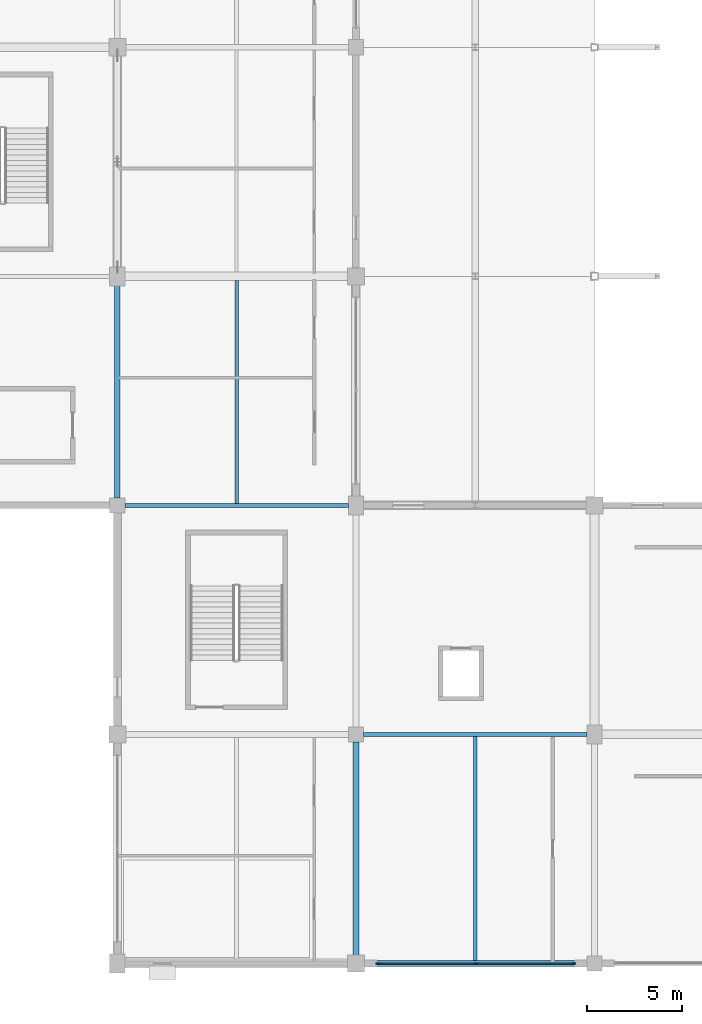
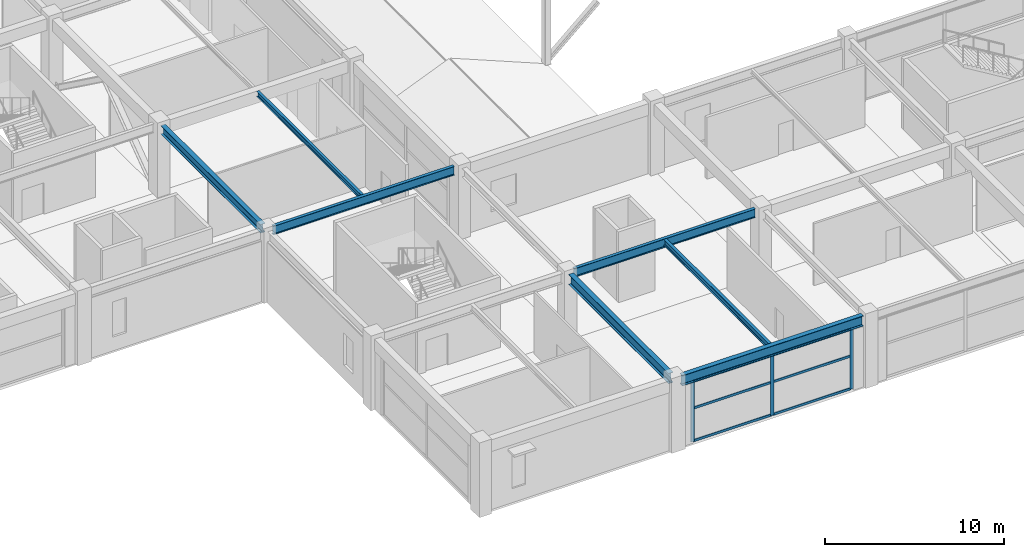
# One storey, part 11 of 116: 9 members, 7 beams, 1 element without a shape of its own.
"""IFC4 building model written with IfcOpenShell, lengths in metres."""

import ifcopenshell
import ifcopenshell.guid

model = None  # the IFC model being written
_history = None  # IfcOwnerHistory: only IFC2X3 demands one
_inside = {}  # id of a spatial element -> (the spatial element, [elements in it])
_under = {}  # id of a project, library or spatial element -> (it, [spatial elements below it])
_declared = {}  # id of a project -> (the project, [libraries it declares])
_typed = {}  # id of a type object -> (the type object, [elements of that type])
_made_of = {}  # id of a material, layer set ... -> (it, [elements and type objects made of it])


def new_model(schema):
    """Start an empty IFC model of exactly this schema.

    Asked for "IFC4X3", IfcOpenShell would pick the latest addendum, in which some entities
    have other attributes; the version numbers below select the first issue.
    IFC2X3 requires an IfcOwnerHistory on every rooted entity: one is made here for all.
    """
    global model, _history
    if schema == "IFC4X3":
        model = ifcopenshell.file(schema_version=(4, 3, 0, 0))
    else:
        model = ifcopenshell.file(schema=schema)
    _inside.clear()
    _under.clear()
    _declared.clear()
    _typed.clear()
    _made_of.clear()
    _history = None
    if model.schema == "IFC2X3":
        org = make("IfcOrganization", Name="unknown")
        user = make(
            "IfcPersonAndOrganization",
            ThePerson=make("IfcPerson", FamilyName="unknown"),
            TheOrganization=org,
        )
        app = make(
            "IfcApplication",
            ApplicationDeveloper=org,
            Version="unknown",
            ApplicationFullName="unknown",
            ApplicationIdentifier="unknown",
        )
        _history = make(
            "IfcOwnerHistory",
            OwningUser=user,
            OwningApplication=app,
            ChangeAction="ADDED",
            CreationDate=0,
        )
    return model


def make(cls, **values):
    """One entity of the class cls with the attributes given. An attribute that is None is left unset."""
    return model.create_entity(
        cls, **{name: value for name, value in values.items() if value is not None}
    )


def rooted(cls, **values):
    """An entity with a GlobalId (a new one), such as an element, a storey or a relation."""
    return make(cls, GlobalId=ifcopenshell.guid.new(), OwnerHistory=_history, **values)


def si_unit(unit_type, name, prefix=None):
    """IfcSIUnit, for example si_unit("LENGTHUNIT", "METRE", prefix="MILLI")."""
    return make("IfcSIUnit", UnitType=unit_type, Prefix=prefix, Name=name)


def assignment(units):
    """IfcUnitAssignment: the units of a project."""
    return None if units is None else make("IfcUnitAssignment", Units=units)


def point(xyz):
    """IfcCartesianPoint."""
    return None if xyz is None else make("IfcCartesianPoint", Coordinates=xyz)


def direction(xyz):
    """IfcDirection."""
    return None if xyz is None else make("IfcDirection", DirectionRatios=xyz)


def frame(location, z_axis=None, x_axis=None):
    """IfcAxis2Placement3D, a coordinate frame: its origin and axes. An axis left out is left unset."""
    return make(
        "IfcAxis2Placement3D",
        Location=point(location),
        Axis=direction(z_axis),
        RefDirection=direction(x_axis),
    )


def frame_2d(location, x_axis=None):
    """IfcAxis2Placement2D, a coordinate frame in the plane: its origin and x axis."""
    return make(
        "IfcAxis2Placement2D", Location=point(location), RefDirection=direction(x_axis)
    )


def origin():
    """The frame at (0, 0, 0) with its axes left unset."""
    return frame((0.0, 0.0, 0.0))


def origin_2d():
    """The frame at (0, 0) in the plane with its x axis left unset."""
    return frame_2d((0.0, 0.0))


def place(relative_to, where):
    """IfcLocalPlacement: puts the frame where relative to a parent placement (None: the world)."""
    return make(
        "IfcLocalPlacement", PlacementRelTo=relative_to, RelativePlacement=where
    )


def context(
    kind, dimensions, precision=None, world=None, true_north=None, identifier=None
):
    """IfcGeometricRepresentationContext, for example the 3D "Model" context."""
    return make(
        "IfcGeometricRepresentationContext",
        ContextIdentifier=identifier,
        ContextType=kind,
        CoordinateSpaceDimension=dimensions,
        Precision=precision,
        WorldCoordinateSystem=world,
        TrueNorth=true_north,
    )


def subcontext(parent, identifier, kind, view, scale=None):
    """IfcGeometricRepresentationSubContext, for example "Body" below "Model"."""
    return make(
        "IfcGeometricRepresentationSubContext",
        ContextIdentifier=identifier,
        ContextType=kind,
        ParentContext=parent,
        TargetScale=scale,
        TargetView=view,
    )


def project(units=None, contexts=None):
    """IfcProject with its units and contexts."""
    return rooted(
        "IfcProject",
        Name="project",
        RepresentationContexts=contexts,
        UnitsInContext=assignment(units),
    )


def spatial(cls, under=None, at=None, **own):
    """A site, building, storey or space (cls), placed at a placement, below another one or the project."""
    s = rooted(cls, ObjectPlacement=at, **own)
    if under is not None:
        _under.setdefault(under.id(), (under, []))[1].append(s)
    return s


def profile(cls, at=None, kind="AREA", **sizes):
    """A parametric profile (cls). Its sizes go by their IFC names, for example OverallWidth=200.0."""
    return make(cls, ProfileType=kind, Position=at, **sizes)


def rectangle(**sizes):
    """IfcRectangleProfileDef."""
    return profile("IfcRectangleProfileDef", **sizes)


def i_section(**sizes):
    """IfcIShapeProfileDef."""
    return profile("IfcIShapeProfileDef", **sizes)


def extrude(swept, where, along, depth):
    """IfcExtrudedAreaSolid: the profile swept, set in the frame where, extruded along a direction by depth."""
    return make(
        "IfcExtrudedAreaSolid",
        SweptArea=swept,
        Position=where,
        ExtrudedDirection=direction(along),
        Depth=depth,
    )


def shape(context_of_items, identifier, shape_type, items):
    """IfcShapeRepresentation: the items that make up one representation, for example the "Body"."""
    return make(
        "IfcShapeRepresentation",
        ContextOfItems=context_of_items,
        RepresentationIdentifier=identifier,
        RepresentationType=shape_type,
        Items=items,
    )


def material(Name=None, Category=None):
    """IfcMaterial."""
    return make("IfcMaterial", Name=Name, Category=Category)


def layer(
    of_material, thickness, ventilated=None, Name=None, Category=None, Priority=None
):
    """IfcMaterialLayer: one layer of a wall or slab, of a material (None: an air gap)."""
    return make(
        "IfcMaterialLayer",
        Material=of_material,
        LayerThickness=thickness,
        IsVentilated=ventilated,
        Name=Name,
        Category=Category,
        Priority=Priority,
    )


def layer_set(layers, Name=None):
    """IfcMaterialLayerSet."""
    return make("IfcMaterialLayerSet", MaterialLayers=layers, LayerSetName=Name)


def material_profile(
    of_material, cross_section, Name=None, Category=None, Priority=None
):
    """IfcMaterialProfile: a cross section and its material."""
    return make(
        "IfcMaterialProfile",
        Name=Name,
        Material=of_material,
        Profile=cross_section,
        Priority=Priority,
        Category=Category,
    )


def profile_set(profiles, Name=None, composite=None):
    """IfcMaterialProfileSet."""
    return make(
        "IfcMaterialProfileSet",
        Name=Name,
        MaterialProfiles=profiles,
        CompositeProfile=composite,
    )


def made_of(thing, what):
    """Note that an element or type object is made of a material, layer set ...; save() writes the relation."""
    if what is not None:
        _made_of.setdefault(what.id(), (what, []))[1].append(thing)
    return thing


def type_object(cls, material=None, **own):
    """A type object (cls), such as IfcWallType, which elements share."""
    return made_of(rooted(cls, **own), material)


def element(
    cls,
    number,
    at=None,
    inside=None,
    cuts=None,
    type_object=None,
    material=None,
    context=None,
    identifier="Body",
    shape_type=None,
    held_by="IfcProductDefinitionShape",
    body=None,
    shapes=None,
    **own,
):
    """One element of the class cls, such as IfcWall. Its Tag is "e" and its number.

    at: its placement. inside: the storey or other place that contains it. cuts: it is an
    opening in that element (IfcRelVoidsElement). A single representation is given by context,
    identifier, shape_type and body (its items); several are given by shapes. held_by: the class
    of the entity that holds the representations. save() writes the other relations.
    """
    e = rooted(cls, Tag="e%d" % number, ObjectPlacement=at, **own)
    if body is not None:
        shapes = [shape(context, identifier, shape_type, body)]
    if shapes is not None:
        e.Representation = make(held_by, Representations=shapes)
    if inside is not None:
        _inside.setdefault(inside.id(), (inside, []))[1].append(e)
    if cuts is not None:
        rooted(
            "IfcRelVoidsElement", RelatingBuildingElement=cuts, RelatedOpeningElement=e
        )
    if type_object is not None:
        _typed.setdefault(type_object.id(), (type_object, []))[1].append(e)
    return made_of(e, material)


def aggregate(whole, parts):
    """IfcRelAggregates: a whole, such as a stair, and the parts it consists of."""
    return rooted("IfcRelAggregates", RelatingObject=whole, RelatedObjects=parts)


def save(model, path):
    """Write the relations noted so far, then the file.

    IfcRelAggregates (storeys below a building ...), IfcRelContainedInSpatialStructure (elements
    in a storey), IfcRelDefinesByType, IfcRelAssociatesMaterial and IfcRelDeclares: one each for
    every whole, place, type object, material and project.
    """
    for whole, parts in _under.values():
        aggregate(whole, parts)
    for where, things in _inside.values():
        rooted(
            "IfcRelContainedInSpatialStructure",
            RelatedElements=things,
            RelatingStructure=where,
        )
    for kind, things in _typed.values():
        rooted("IfcRelDefinesByType", RelatedObjects=things, RelatingType=kind)
    for what, things in _made_of.values():
        rooted("IfcRelAssociatesMaterial", RelatedObjects=things, RelatingMaterial=what)
    for by, libraries in _declared.values():
        rooted("IfcRelDeclares", RelatingContext=by, RelatedDefinitions=libraries)
    model.write(path)


model = new_model("IFC4")

# Units and contexts
model_context = context("Model", 3, precision=1e-05, world=origin(), true_north=direction((0.0, 1.0)))
body_context = subcontext(model_context, "Body", "Model", "MODEL_VIEW")
ifc_project = project(units=[si_unit("LENGTHUNIT", "METRE"), si_unit("AREAUNIT", "SQUARE_METRE"), si_unit("VOLUMEUNIT", "CUBIC_METRE"), si_unit("PLANEANGLEUNIT", "RADIAN"), si_unit("MASSUNIT", "GRAM", prefix="KILO")], contexts=[model_context])

# Site, building, storey
site_placement = place(None, origin())
site = spatial("IfcSite", under=ifc_project, at=site_placement, CompositionType="ELEMENT")
building_placement = place(site_placement, origin())
building = spatial("IfcBuilding", under=site, at=building_placement, Name="Kazenohara Klinker Stadium", CompositionType="ELEMENT")
storey_placement = place(building_placement, frame((0.0, 0.0, 10.199951171875)))
storey = spatial("IfcBuildingStorey", under=building, at=storey_placement, Name="L02", CompositionType="ELEMENT", Elevation=10.199951171875)

# Beams
ifc_material_1 = material(Name="Steel S355", Category="steel")
ifc_material_profile_1 = material_profile(ifc_material_1, i_section(OverallWidth=0.199951171875, OverallDepth=0.39990234375, WebThickness=0.008056640625, FlangeThickness=0.012939453125, FilletRadius=0.012939453125, at=origin_2d()), Name="H-400x200x8x13")
ifc_profile_set_1 = profile_set([ifc_material_profile_1], Name="Steel S355")
beam_type_1 = type_object("IfcBeamType", Name="BM-JST03", PredefinedType="JOIST", material=ifc_profile_set_1)
beam_1_placement = place(storey_placement, frame((42.75, 12.14990234375, 4.6201171875), z_axis=(0.0, 1.0, 0.0), x_axis=(-1.0, 0.0, 0.0)))
element("IfcBeam", 1, at=beam_1_placement, inside=storey, type_object=beam_type_1, Name="Secondary floor joist SJ03 L02 4/B", PredefinedType="JOIST", context=body_context, shape_type="SweptSolid", body=[
    extrude(i_section(OverallWidth=0.199951171875, OverallDepth=0.39990234375, WebThickness=0.008056640625, FlangeThickness=0.012939453125, FilletRadius=0.012939453125, at=origin_2d()), origin(), (0.0, 0.0, 1.0), 11.75),
])
ifc_material_profile_2 = material_profile(ifc_material_1, i_section(OverallWidth=0.175048828125, OverallDepth=0.35009765625, WebThickness=0.007080078125, FlangeThickness=0.010986328125, FilletRadius=0.012939453125, at=origin_2d()), Name="H-350x175x7x11")
ifc_profile_set_2 = profile_set([ifc_material_profile_2], Name="Steel S355")
beam_type_2 = type_object("IfcBeamType", Name="BM-JST04", PredefinedType="JOIST", material=ifc_profile_set_2)
beam_2_placement = place(storey_placement, frame((30.25, 36.10009765625, 4.64501953125), z_axis=(0.0, 1.0, 0.0), x_axis=(-1.0, 0.0, 0.0)))
element("IfcBeam", 2, at=beam_2_placement, inside=storey, type_object=beam_type_2, Name="Secondary floor joist SJ04 L02 3/D", PredefinedType="JOIST", context=body_context, shape_type="SweptSolid", body=[
    extrude(i_section(OverallWidth=0.175048828125, OverallDepth=0.35009765625, WebThickness=0.007080078125, FlangeThickness=0.010986328125, FilletRadius=0.012939453125, at=origin_2d()), origin(), (0.0, 0.0, 1.0), 11.6748046875),
])
ifc_material_profile_3 = material_profile(ifc_material_1, i_section(OverallWidth=0.300048828125, OverallDepth=0.699951171875, WebThickness=0.012939453125, FlangeThickness=0.02392578125, FilletRadius=0.02197265625, at=origin_2d()), Name="H-700x300x13x24")
ifc_profile_set_3 = profile_set([ifc_material_profile_3], Name="Steel S355")
beam_type_3 = type_object("IfcBeamType", Name="BM-ST03", PredefinedType="BEAM", material=ifc_profile_set_3)
beam_3_placement = place(storey_placement, frame((36.919921875, 12.0, 4.469970703125), z_axis=(1.0, 0.0, 0.0), x_axis=(0.0, 1.0, 0.0)))
element("IfcBeam", 3, at=beam_3_placement, inside=storey, type_object=beam_type_3, Name="Primary girder SB03 L02 4-5/B", PredefinedType="BEAM", context=body_context, shape_type="SweptSolid", body=[
    extrude(i_section(OverallWidth=0.300048828125, OverallDepth=0.699951171875, WebThickness=0.012939453125, FlangeThickness=0.02392578125, FilletRadius=0.02197265625, at=origin_2d()), origin(), (0.0, 0.0, 1.0), 11.68017578125),
])
beam_4_placement = place(storey_placement, frame((36.5, 12.419921875, 4.469970703125), z_axis=(0.0, 1.0, 0.0), x_axis=(-1.0, 0.0, 0.0)))
element("IfcBeam", 4, at=beam_4_placement, inside=storey, type_object=beam_type_3, Name="Primary girder SB03 L02 4/B-C", PredefinedType="BEAM", context=body_context, shape_type="SweptSolid", body=[
    extrude(i_section(OverallWidth=0.300048828125, OverallDepth=0.699951171875, WebThickness=0.012939453125, FlangeThickness=0.02392578125, FilletRadius=0.02197265625, at=origin_2d()), origin(), (0.0, 0.0, 1.0), 11.18017578125),
])
ifc_material_profile_4 = material_profile(ifc_material_1, i_section(OverallWidth=0.199951171875, OverallDepth=0.60009765625, WebThickness=0.010986328125, FlangeThickness=0.01708984375, FilletRadius=0.012939453125, at=origin_2d()), Name="H-600x200x11x17")
ifc_profile_set_4 = profile_set([ifc_material_profile_4], Name="Steel S355")
beam_type_4 = type_object("IfcBeamType", Name="BM-ST04", PredefinedType="BEAM", material=ifc_profile_set_4)
for number, where, z_axis, x_axis, name in (
    (5, (24.39990234375, 36.0, 4.52001953125), (1.0, 0.0, 0.0), (0.0, 1.0, 0.0), "Primary girder SB04 L02 3-4/D"),
    (6, (36.89990234375, 24.0, 4.52001953125), (1.0, 0.0, 0.0), (0.0, 1.0, 0.0), "Primary girder SB04 L02 4-5/C"),
):
    element("IfcBeam", number, at=place(storey_placement, frame(where, z_axis=z_axis, x_axis=x_axis)), inside=storey, type_object=beam_type_4, Name=name, PredefinedType="BEAM", context=body_context, shape_type="SweptSolid", body=[
        extrude(i_section(OverallWidth=0.199951171875, OverallDepth=0.60009765625, WebThickness=0.010986328125, FlangeThickness=0.01708984375, FilletRadius=0.012939453125, at=origin_2d()), origin(), (0.0, 0.0, 1.0), 11.7001953125),
    ])
ifc_material_profile_5 = material_profile(ifc_material_1, i_section(OverallWidth=0.300048828125, OverallDepth=0.587890625, WebThickness=0.011962890625, FlangeThickness=0.02001953125, FilletRadius=0.02197265625, at=origin_2d()), Name="H-588x300x12x20")
ifc_profile_set_5 = profile_set([ifc_material_profile_5], Name="Steel S355")
beam_type_5 = type_object("IfcBeamType", Name="BM-ST05", PredefinedType="BEAM", material=ifc_profile_set_5)
beam_5_placement = place(storey_placement, frame((24.0, 36.39990234375, 4.526123046875), z_axis=(0.0, 1.0, 0.0), x_axis=(-1.0, 0.0, 0.0)))
element("IfcBeam", 7, at=beam_5_placement, inside=storey, type_object=beam_type_5, Name="Primary girder SB05 L02 3/D-E", PredefinedType="BEAM", context=body_context, shape_type="SweptSolid", body=[
    extrude(i_section(OverallWidth=0.300048828125, OverallDepth=0.587890625, WebThickness=0.011962890625, FlangeThickness=0.02001953125, FilletRadius=0.02197265625, at=origin_2d()), origin(), (0.0, 0.0, 1.0), 11.18017578125),
])

# Curtain wall, members
ifc_material_2 = material(Name="Anodised aluminium and triple glazing", Category="aluminium")
ifc_layer = layer(ifc_material_2, 0.179931640625)
ifc_layer_set = layer_set([ifc_layer], Name="Anodised aluminium and triple glazing")
curtain_wall_type = type_object("IfcCurtainWallType", Name="CW-SYS-02", PredefinedType="USERDEFINED", material=ifc_layer_set)
curtain_wall_placement = place(storey_placement, origin())
curtain_wall = element("IfcCurtainWall", 8, at=curtain_wall_placement, inside=storey, type_object=curtain_wall_type, Name="Unitised facade curtain wall CW02 L02 X3-1", ObjectType="UNITISED CURTAIN WALL", PredefinedType="USERDEFINED")
ifc_material_3 = material(Name="Anodised aluminium 6063-T6", Category="aluminium")
ifc_material_profile_6 = material_profile(ifc_material_3, rectangle(XDim=0.074951171875, YDim=0.219970703125, at=origin_2d()), Name="ALU-MUL-75x220")
ifc_profile_set_6 = profile_set([ifc_material_profile_6], Name="Anodised aluminium 6063-T6")
member_type_1 = type_object("IfcMemberType", Name="CW-MUL-220", PredefinedType="MULLION", material=ifc_profile_set_6)
member_1_placement = place(storey_placement, frame((37.6416015625, 12.0, 0.0), z_axis=(0.0, 0.0, 1.0), x_axis=(0.0, 1.0, 0.0)))
member_1 = element("IfcMember", 9, at=member_1_placement, type_object=member_type_1, Name="CW02 mullion 1", PredefinedType="MULLION", context=body_context, shape_type="SweptSolid", body=[
    extrude(rectangle(XDim=0.074951171875, YDim=0.219970703125, at=origin_2d()), origin(), (0.0, 0.0, 1.0), 4.1201171875),
])
member_2_placement = place(storey_placement, frame((42.77490234375, 12.0, 0.0), z_axis=(0.0, 0.0, 1.0), x_axis=(0.0, 1.0, 0.0)))
member_2 = element("IfcMember", 10, at=member_2_placement, type_object=member_type_1, Name="CW02 mullion 2", PredefinedType="MULLION", context=body_context, shape_type="SweptSolid", body=[
    extrude(rectangle(XDim=0.074951171875, YDim=0.219970703125, at=origin_2d()), origin(), (0.0, 0.0, 1.0), 4.1201171875),
])
member_3_placement = place(storey_placement, frame((47.908447265625, 12.0, 0.0), z_axis=(0.0, 0.0, 1.0), x_axis=(0.0, 1.0, 0.0)))
member_3 = element("IfcMember", 11, at=member_3_placement, type_object=member_type_1, Name="CW02 mullion 3", PredefinedType="MULLION", context=body_context, shape_type="SweptSolid", body=[
    extrude(rectangle(XDim=0.074951171875, YDim=0.219970703125, at=origin_2d()), origin(), (0.0, 0.0, 1.0), 4.1201171875),
])
ifc_material_profile_7 = material_profile(ifc_material_3, rectangle(XDim=0.074951171875, YDim=0.159912109375, at=origin_2d()), Name="ALU-TRN-75x160")
ifc_profile_set_7 = profile_set([ifc_material_profile_7], Name="Anodised aluminium 6063-T6")
member_type_2 = type_object("IfcMemberType", Name="CW-TRN-160", PredefinedType="USERDEFINED", material=ifc_profile_set_7)
member_4_placement = place(storey_placement, frame((37.678955078125, 12.0, 0.03759765625), z_axis=(1.0, 0.0, 0.0), x_axis=(0.0, 1.0, 0.0)))
member_4 = element("IfcMember", 12, at=member_4_placement, type_object=member_type_2, Name="CW02 transom 1.1", ObjectType="TRANSOM", PredefinedType="USERDEFINED", context=body_context, shape_type="SweptSolid", body=[
    extrude(rectangle(XDim=0.074951171875, YDim=0.159912109375, at=origin_2d()), origin(), (0.0, 0.0, 1.0), 5.05859375),
])
member_5_placement = place(storey_placement, frame((37.678955078125, 12.0, 2.26611328125), z_axis=(1.0, 0.0, 0.0), x_axis=(0.0, 1.0, 0.0)))
member_5 = element("IfcMember", 13, at=member_5_placement, type_object=member_type_2, Name="CW02 transom 1.2", ObjectType="TRANSOM", PredefinedType="USERDEFINED", context=body_context, shape_type="SweptSolid", body=[
    extrude(rectangle(XDim=0.074951171875, YDim=0.159912109375, at=origin_2d()), origin(), (0.0, 0.0, 1.0), 5.05859375),
])
member_6_placement = place(storey_placement, frame((37.678955078125, 12.0, 4.08251953125), z_axis=(1.0, 0.0, 0.0), x_axis=(0.0, 1.0, 0.0)))
member_6 = element("IfcMember", 14, at=member_6_placement, type_object=member_type_2, Name="CW02 transom 1.3", ObjectType="TRANSOM", PredefinedType="USERDEFINED", context=body_context, shape_type="SweptSolid", body=[
    extrude(rectangle(XDim=0.074951171875, YDim=0.159912109375, at=origin_2d()), origin(), (0.0, 0.0, 1.0), 5.05859375),
])
member_7_placement = place(storey_placement, frame((42.8125, 12.0, 0.03759765625), z_axis=(1.0, 0.0, 0.0), x_axis=(0.0, 1.0, 0.0)))
member_7 = element("IfcMember", 15, at=member_7_placement, type_object=member_type_2, Name="CW02 transom 2.1", ObjectType="TRANSOM", PredefinedType="USERDEFINED", context=body_context, shape_type="SweptSolid", body=[
    extrude(rectangle(XDim=0.074951171875, YDim=0.159912109375, at=origin_2d()), origin(), (0.0, 0.0, 1.0), 5.05859375),
])
member_8_placement = place(storey_placement, frame((42.8125, 12.0, 2.26611328125), z_axis=(1.0, 0.0, 0.0), x_axis=(0.0, 1.0, 0.0)))
member_8 = element("IfcMember", 16, at=member_8_placement, type_object=member_type_2, Name="CW02 transom 2.2", ObjectType="TRANSOM", PredefinedType="USERDEFINED", context=body_context, shape_type="SweptSolid", body=[
    extrude(rectangle(XDim=0.074951171875, YDim=0.159912109375, at=origin_2d()), origin(), (0.0, 0.0, 1.0), 5.05859375),
])
member_9_placement = place(storey_placement, frame((42.8125, 12.0, 4.08251953125), z_axis=(1.0, 0.0, 0.0), x_axis=(0.0, 1.0, 0.0)))
member_9 = element("IfcMember", 17, at=member_9_placement, type_object=member_type_2, Name="CW02 transom 2.3", ObjectType="TRANSOM", PredefinedType="USERDEFINED", context=body_context, shape_type="SweptSolid", body=[
    extrude(rectangle(XDim=0.074951171875, YDim=0.159912109375, at=origin_2d()), origin(), (0.0, 0.0, 1.0), 5.05859375),
])
aggregate(curtain_wall, [member_1, member_2, member_3, member_4, member_5, member_6, member_7, member_8, member_9])

save(model, "model.ifc")
